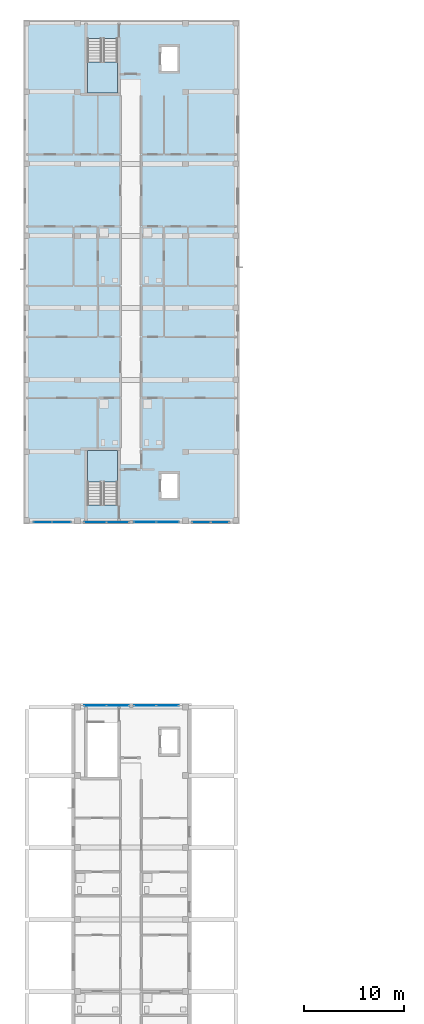
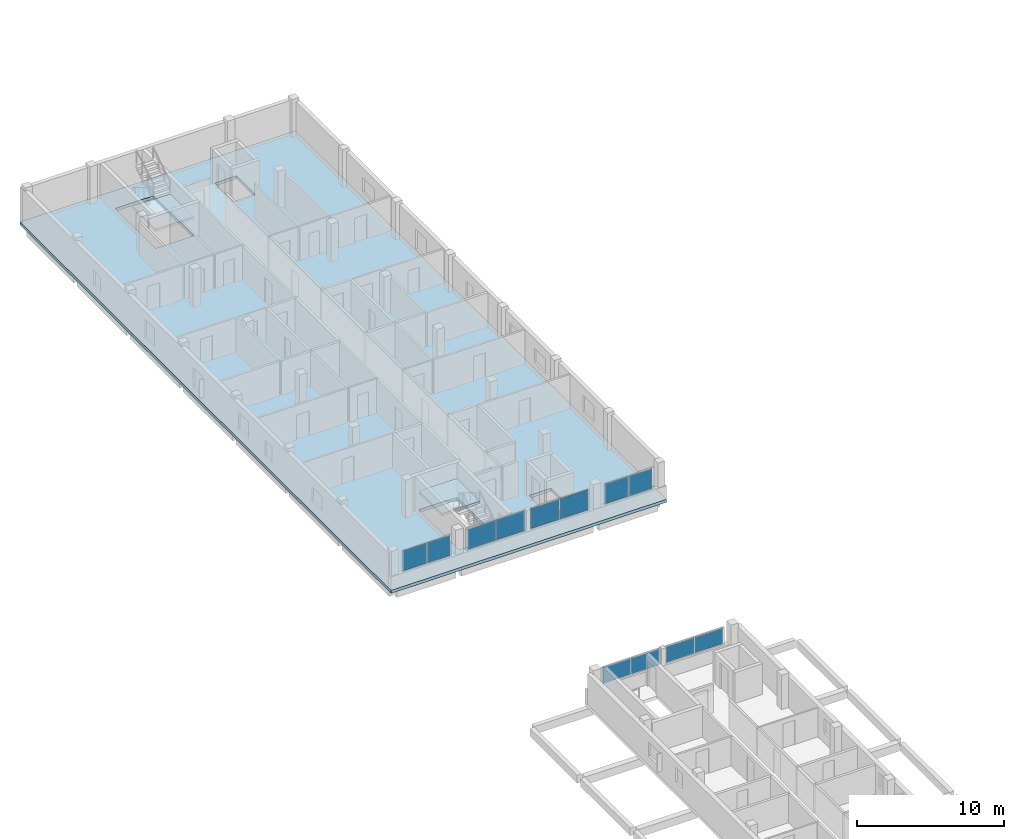
# One storey, part 8 of 34: 12 plates, 3 slabs, 8 elements without a shape of their own.
"""IFC4 building model written with IfcOpenShell, lengths in metres."""

from ifc_helpers import new_model, si_unit, derived_unit, direction, frame, origin, origin_2d, place, context, subcontext, project, spatial, polyline, rectangle, outline, extrude, material, layer, layer_set, type_object, element, aggregate, save


model = new_model("IFC4")

# Units and contexts
model_context = context("Model", 3, precision=1e-05, world=origin(), true_north=direction((0.0, 1.0)))
body_context = subcontext(model_context, "Body", "Model", "MODEL_VIEW")
ifc_project = project(units=[si_unit("LENGTHUNIT", "METRE"), si_unit("AREAUNIT", "SQUARE_METRE"), si_unit("VOLUMEUNIT", "CUBIC_METRE"), si_unit("PLANEANGLEUNIT", "RADIAN"), si_unit("MASSUNIT", "GRAM", prefix="KILO"), derived_unit("THERMALTRANSMITTANCEUNIT", [(si_unit("MASSUNIT", "GRAM", prefix="KILO"), 1), (si_unit("TIMEUNIT", "SECOND"), -3), (si_unit("THERMODYNAMICTEMPERATUREUNIT", "KELVIN"), -1)])], contexts=[model_context])

# Site, building, storey
site_placement = place(None, origin())
site = spatial("IfcSite", under=ifc_project, at=site_placement, CompositionType="ELEMENT")
building_placement = place(site_placement, origin())
building = spatial("IfcBuilding", under=site, at=building_placement, Name="Ochrekiln Boulevard Commons", CompositionType="ELEMENT")
storey_placement = place(building_placement, frame((0.0, 0.0, 27.824951171875)))
storey = spatial("IfcBuildingStorey", under=building, at=storey_placement, Name="L08", CompositionType="ELEMENT", Elevation=27.824951171875)

# Curtain wall, plates
ifc_material_1 = material(Name="Bronze-anodized extruded aluminium 6063-T6", Category="aluminium")
ifc_layer_1 = layer(ifc_material_1, 0.172119140625)
ifc_layer_set_1 = layer_set([ifc_layer_1], Name="Bronze-anodized extruded aluminium 6063-T6")
curtain_wall_type = type_object("IfcCurtainWallType", Name="CW-GABLE-A", PredefinedType="USERDEFINED", material=ifc_layer_set_1)
curtain_wall_1_placement = place(storey_placement, origin())
curtain_wall_1 = element("IfcCurtainWall", 1, at=curtain_wall_1_placement, inside=storey, type_object=curtain_wall_type, Name="Block A L08 Courtyard Glazed Gable Curtain Wall 4", ObjectType="GLAZED CURTAIN WALL", PredefinedType="USERDEFINED")
ifc_material_2 = material(Name="Spectrally selective low-E insulated glazing", Category="glass")
ifc_layer_2 = layer(ifc_material_2, 0.02392578125)
ifc_layer_set_2 = layer_set([ifc_layer_2], Name="Spectrally selective low-E insulated glazing")
plate_type_1 = type_object("IfcPlateType", Name="CWP-GLZ-1", PredefinedType="CURTAIN_PANEL", material=ifc_layer_set_2)
plate_1_placement = place(storey_placement, frame((17.788818359375, 68.56005859375, 1.175048828125), z_axis=(0.0, 0.0, 1.0), x_axis=(1.0, 0.0, 0.0)))
plate_1 = element("IfcPlate", 2, at=plate_1_placement, type_object=plate_type_1, Name="CW-01 panel 1.1", PredefinedType="CURTAIN_PANEL", context=body_context, shape_type="SweptSolid", body=[
    extrude(rectangle(XDim=1.8076171875, YDim=0.02392578125, at=origin_2d()), origin(), (0.0, 0.0, 1.0), 1.64990234375),
])
plate_2_placement = place(storey_placement, frame((19.6611328125, 68.56005859375, 1.175048828125), z_axis=(0.0, 0.0, 1.0), x_axis=(1.0, 0.0, 0.0)))
plate_2 = element("IfcPlate", 3, at=plate_2_placement, type_object=plate_type_1, Name="CW-01 panel 2.1", PredefinedType="CURTAIN_PANEL", context=body_context, shape_type="SweptSolid", body=[
    extrude(rectangle(XDim=1.8076171875, YDim=0.02392578125, at=origin_2d()), origin(), (0.0, 0.0, 1.0), 1.64990234375),
])
aggregate(curtain_wall_1, [plate_1, plate_2])

curtain_wall_2_placement = place(storey_placement, origin())
curtain_wall_2 = element("IfcCurtainWall", 4, at=curtain_wall_2_placement, inside=storey, type_object=curtain_wall_type, Name="Block A L08 Courtyard Glazed Gable Curtain Wall 1", ObjectType="GLAZED CURTAIN WALL", PredefinedType="USERDEFINED")
ifc_layer_3 = layer(ifc_material_2, 0.030029296875)
ifc_layer_set_3 = layer_set([ifc_layer_3], Name="Spectrally selective low-E insulated glazing")
plate_type_2 = type_object("IfcPlateType", Name="CWP-GLZ-2", PredefinedType="CURTAIN_PANEL", material=ifc_layer_set_3)
plate_3_placement = place(storey_placement, frame((1.9375, 68.56005859375, 1.169921875), z_axis=(0.0, 0.0, 1.0), x_axis=(1.0, 0.0, 0.0)))
plate_3 = element("IfcPlate", 5, at=plate_3_placement, type_object=plate_type_2, Name="CW-01 panel 1.1", PredefinedType="CURTAIN_PANEL", context=body_context, shape_type="SweptSolid", body=[
    extrude(rectangle(XDim=1.81494140625, YDim=0.030029296875, at=origin_2d()), origin(), (0.0, 0.0, 1.0), 1.659912109375),
])
plate_4_placement = place(storey_placement, frame((3.8125, 68.56005859375, 1.169921875), z_axis=(0.0, 0.0, 1.0), x_axis=(1.0, 0.0, 0.0)))
plate_4 = element("IfcPlate", 6, at=plate_4_placement, type_object=plate_type_2, Name="CW-01 panel 2.1", PredefinedType="CURTAIN_PANEL", context=body_context, shape_type="SweptSolid", body=[
    extrude(rectangle(XDim=1.81494140625, YDim=0.030029296875, at=origin_2d()), origin(), (0.0, 0.0, 1.0), 1.659912109375),
])
aggregate(curtain_wall_2, [plate_3, plate_4])

curtain_wall_3_placement = place(storey_placement, origin())
curtain_wall_3 = element("IfcCurtainWall", 7, at=curtain_wall_3_placement, inside=storey, type_object=curtain_wall_type, Name="Block D L08 Courtyard Glazed Gable Curtain Wall 1", ObjectType="GLAZED CURTAIN WALL", PredefinedType="USERDEFINED")
plate_5_placement = place(storey_placement, frame((7.18115234375, 50.217529296875, 1.175048828125), z_axis=(0.0, 0.0, 1.0), x_axis=(1.0, 0.0, 0.0)))
plate_5 = element("IfcPlate", 8, at=plate_5_placement, type_object=plate_type_2, Name="CW-01 panel 1.1", PredefinedType="CURTAIN_PANEL", context=body_context, shape_type="SweptSolid", body=[
    extrude(rectangle(XDim=2.1923828125, YDim=0.030029296875, at=origin_2d()), origin(), (0.0, 0.0, 1.0), 1.31005859375),
])
plate_6_placement = place(storey_placement, frame((9.438720703125, 50.217529296875, 1.175048828125), z_axis=(0.0, 0.0, 1.0), x_axis=(1.0, 0.0, 0.0)))
plate_6 = element("IfcPlate", 9, at=plate_6_placement, type_object=plate_type_2, Name="CW-01 panel 2.1", PredefinedType="CURTAIN_PANEL", context=body_context, shape_type="SweptSolid", body=[
    extrude(rectangle(XDim=2.1923828125, YDim=0.030029296875, at=origin_2d()), origin(), (0.0, 0.0, 1.0), 1.31005859375),
])
aggregate(curtain_wall_3, [plate_5, plate_6])

curtain_wall_4_placement = place(storey_placement, origin())
curtain_wall_4 = element("IfcCurtainWall", 10, at=curtain_wall_4_placement, inside=storey, type_object=curtain_wall_type, Name="Block A L08 Courtyard Glazed Gable Curtain Wall 2", ObjectType="GLAZED CURTAIN WALL", PredefinedType="USERDEFINED")
ifc_layer_4 = layer(ifc_material_2, 0.035888671875)
ifc_layer_set_4 = layer_set([ifc_layer_4], Name="Spectrally selective low-E insulated glazing")
plate_type_3 = type_object("IfcPlateType", Name="CWP-GLZ-3", PredefinedType="CURTAIN_PANEL", material=ifc_layer_set_4)
plate_7_placement = place(storey_placement, frame((7.18115234375, 68.56005859375, 1.175048828125), z_axis=(0.0, 0.0, 1.0), x_axis=(1.0, 0.0, 0.0)))
plate_7 = element("IfcPlate", 11, at=plate_7_placement, type_object=plate_type_3, Name="CW-01 panel 1.1", PredefinedType="CURTAIN_PANEL", context=body_context, shape_type="SweptSolid", body=[
    extrude(rectangle(XDim=2.1923828125, YDim=0.035888671875, at=origin_2d()), origin(), (0.0, 0.0, 1.0), 1.64990234375),
])
plate_8_placement = place(storey_placement, frame((9.438720703125, 68.56005859375, 1.175048828125), z_axis=(0.0, 0.0, 1.0), x_axis=(1.0, 0.0, 0.0)))
plate_8 = element("IfcPlate", 12, at=plate_8_placement, type_object=plate_type_3, Name="CW-01 panel 2.1", PredefinedType="CURTAIN_PANEL", context=body_context, shape_type="SweptSolid", body=[
    extrude(rectangle(XDim=2.1923828125, YDim=0.035888671875, at=origin_2d()), origin(), (0.0, 0.0, 1.0), 1.64990234375),
])
aggregate(curtain_wall_4, [plate_7, plate_8])

curtain_wall_5_placement = place(storey_placement, origin())
curtain_wall_5 = element("IfcCurtainWall", 13, at=curtain_wall_5_placement, inside=storey, type_object=curtain_wall_type, Name="Block D L08 Courtyard Glazed Gable Curtain Wall 2", ObjectType="GLAZED CURTAIN WALL", PredefinedType="USERDEFINED")
plate_9_placement = place(storey_placement, frame((12.1611328125, 50.217529296875, 1.175048828125), z_axis=(0.0, 0.0, 1.0), x_axis=(1.0, 0.0, 0.0)))
plate_9 = element("IfcPlate", 14, at=plate_9_placement, type_object=plate_type_3, Name="CW-01 panel 1.1", PredefinedType="CURTAIN_PANEL", context=body_context, shape_type="SweptSolid", body=[
    extrude(rectangle(XDim=2.1923828125, YDim=0.035888671875, at=origin_2d()), origin(), (0.0, 0.0, 1.0), 1.31005859375),
])
plate_10_placement = place(storey_placement, frame((14.418701171875, 50.217529296875, 1.175048828125), z_axis=(0.0, 0.0, 1.0), x_axis=(1.0, 0.0, 0.0)))
plate_10 = element("IfcPlate", 15, at=plate_10_placement, type_object=plate_type_3, Name="CW-01 panel 2.1", PredefinedType="CURTAIN_PANEL", context=body_context, shape_type="SweptSolid", body=[
    extrude(rectangle(XDim=2.1923828125, YDim=0.035888671875, at=origin_2d()), origin(), (0.0, 0.0, 1.0), 1.31005859375),
])
aggregate(curtain_wall_5, [plate_9, plate_10])

curtain_wall_6_placement = place(storey_placement, origin())
curtain_wall_6 = element("IfcCurtainWall", 16, at=curtain_wall_6_placement, inside=storey, type_object=curtain_wall_type, Name="Block A L08 Courtyard Glazed Gable Curtain Wall 3", ObjectType="GLAZED CURTAIN WALL", PredefinedType="USERDEFINED")
ifc_layer_5 = layer(ifc_material_2, 0.0419921875)
ifc_layer_set_5 = layer_set([ifc_layer_5], Name="Spectrally selective low-E insulated glazing")
plate_type_4 = type_object("IfcPlateType", Name="CWP-GLZ-4", PredefinedType="CURTAIN_PANEL", material=ifc_layer_set_5)
plate_11_placement = place(storey_placement, frame((12.159912109375, 68.56005859375, 1.169921875), z_axis=(0.0, 0.0, 1.0), x_axis=(1.0, 0.0, 0.0)))
plate_11 = element("IfcPlate", 17, at=plate_11_placement, type_object=plate_type_4, Name="CW-01 panel 1.1", PredefinedType="CURTAIN_PANEL", context=body_context, shape_type="SweptSolid", body=[
    extrude(rectangle(XDim=2.199951171875, YDim=0.0419921875, at=origin_2d()), origin(), (0.0, 0.0, 1.0), 1.659912109375),
])
plate_12_placement = place(storey_placement, frame((14.419921875, 68.56005859375, 1.169921875), z_axis=(0.0, 0.0, 1.0), x_axis=(1.0, 0.0, 0.0)))
plate_12 = element("IfcPlate", 18, at=plate_12_placement, type_object=plate_type_4, Name="CW-01 panel 2.1", PredefinedType="CURTAIN_PANEL", context=body_context, shape_type="SweptSolid", body=[
    extrude(rectangle(XDim=2.199951171875, YDim=0.0419921875, at=origin_2d()), origin(), (0.0, 0.0, 1.0), 1.659912109375),
])
aggregate(curtain_wall_6, [plate_11, plate_12])

# Stair, slab
ifc_material_3 = material(Name="Concrete C35/45", Category="concrete")
stair_type = type_object("IfcStairType", Name="STR-DL-315", PredefinedType="TWO_STRAIGHT_RUN_STAIR", material=ifc_material_3)
stair_1_placement = place(storey_placement, origin())
stair_1 = element("IfcStair", 19, at=stair_1_placement, inside=storey, type_object=stair_type, Name="L08 Enclosed Exit Stair ST-A1", PredefinedType="TWO_STRAIGHT_RUN_STAIR")
ifc_layer_6 = layer(ifc_material_3, 0.199951171875)
ifc_layer_set_6 = layer_set([ifc_layer_6], Name="Concrete C35/45")
slab_type_1 = type_object("IfcSlabType", Name="SLB-LND-200", PredefinedType="LANDING", material=ifc_layer_set_6)
slab_1_placement = place(storey_placement, frame((0.0, 0.0, 1.375)))
slab_1 = element("IfcSlab", 20, at=slab_1_placement, type_object=slab_type_1, Name="ST-A1 landing 1", PredefinedType="LANDING", context=body_context, shape_type="SweptSolid", body=[
    extrude(outline(polyline([(9.39990234375, 72.590087890625), (9.39990234375, 75.719970703125), (6.39990234375, 75.719970703125), (6.39990234375, 72.590087890625), (9.39990234375, 72.590087890625)])), origin(), (0.0, 0.0, 1.0), 0.199951171875),
])
aggregate(stair_1, [slab_1])

stair_2_placement = place(storey_placement, origin())
stair_2 = element("IfcStair", 21, at=stair_2_placement, inside=storey, type_object=stair_type, Name="L08 Enclosed Exit Stair ST-A2", PredefinedType="TWO_STRAIGHT_RUN_STAIR")
slab_2_placement = place(storey_placement, frame((0.0, 0.0, 1.375)))
slab_2 = element("IfcSlab", 22, at=slab_2_placement, type_object=slab_type_1, Name="ST-A2 landing 1", PredefinedType="LANDING", context=body_context, shape_type="SweptSolid", body=[
    extrude(outline(polyline([(6.39990234375, 114.610107421875), (6.39990234375, 111.47998046875), (9.39990234375, 111.47998046875), (9.39990234375, 114.610107421875), (6.39990234375, 114.610107421875)])), origin(), (0.0, 0.0, 1.0), 0.199951171875),
])
aggregate(stair_2, [slab_2])

# Slab
ifc_layer_7 = layer(ifc_material_3, 0.25)
ifc_layer_set_7 = layer_set([ifc_layer_7], Name="Concrete C35/45")
slab_type_2 = type_object("IfcSlabType", Name="SLB-LOFT-250", PredefinedType="FLOOR", material=ifc_layer_set_7)
slab_3_placement = place(storey_placement, frame((0.0, 0.0, -0.25)))
element("IfcSlab", 23, at=slab_3_placement, inside=storey, type_object=slab_type_2, Name="Block A L08 Reinforced Concrete Floor Slab", PredefinedType="FLOOR", context=body_context, shape_type="SweptSolid", body=[
    extrude(outline(polyline([(0.0, 68.39990234375), (21.60009765625, 68.39990234375), (21.60009765625, 118.800048828125), (0.0, 118.800048828125), (0.0, 68.39990234375)]), holes=[polyline([(9.39990234375, 70.2705078125), (9.39990234375, 75.719970703125), (6.39990234375, 75.719970703125), (6.39990234375, 70.2705078125), (9.39990234375, 70.2705078125)]), polyline([(6.39990234375, 116.929443359375), (6.39990234375, 111.47998046875), (9.39990234375, 111.47998046875), (9.39990234375, 116.929443359375), (6.39990234375, 116.929443359375)]), polyline([(13.75, 70.949951171875), (15.449951171875, 70.949951171875), (15.449951171875, 73.449951171875), (13.75, 73.449951171875), (13.75, 70.949951171875)]), polyline([(13.75, 113.64990234375), (15.449951171875, 113.64990234375), (15.449951171875, 116.14990234375), (13.75, 116.14990234375), (13.75, 113.64990234375)])]), origin(), (0.0, 0.0, 1.0), 0.25),
])

save(model, "model.ifc")
